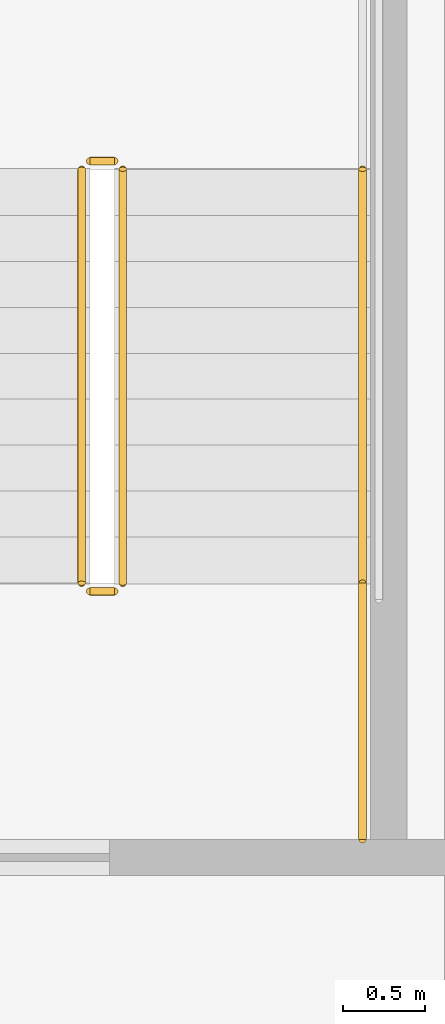
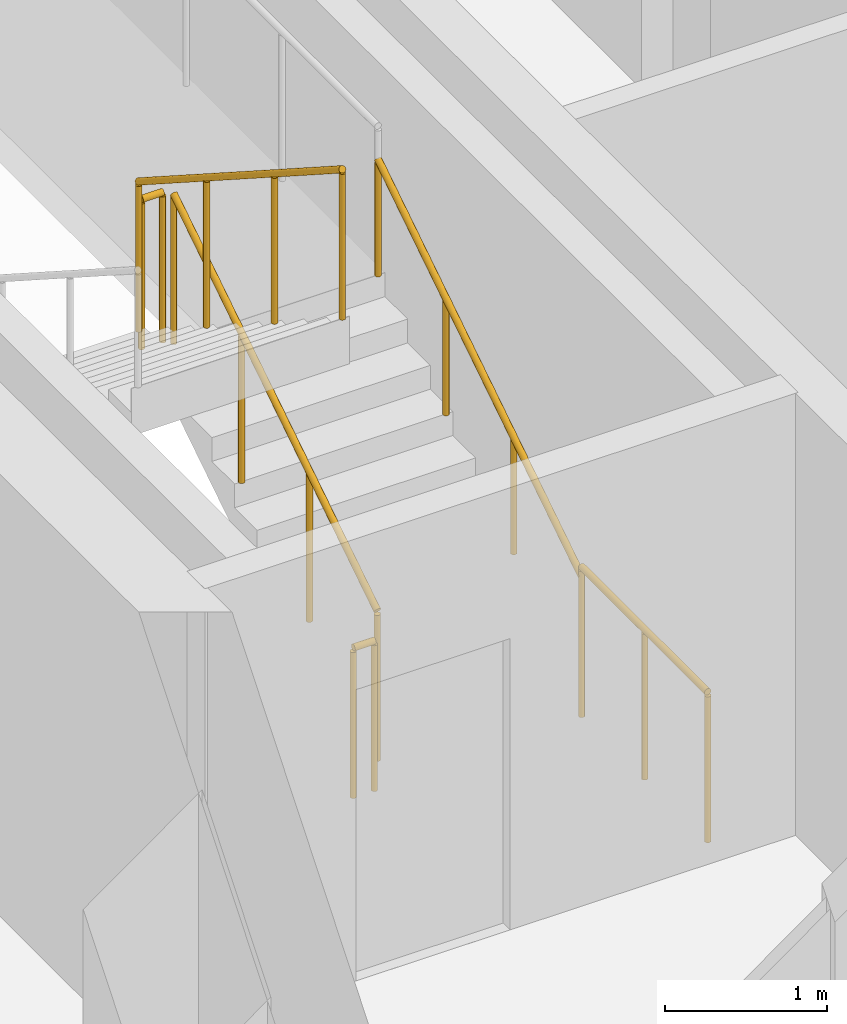
# One storey, part 14 of 16: 6 railings.
"""IFC4 building model written with IfcOpenShell, lengths in metres."""

from ifc_helpers import new_model, si_unit, direction, frame, origin, origin_2d, place, context, subcontext, project, spatial, circle, extrude, material, type_object, element, save


model = new_model("IFC4")

# Units and contexts
model_context = context("Model", 3, precision=1e-05, world=origin(), true_north=direction((0.0, 1.0)))
body_context = subcontext(model_context, "Body", "Model", "MODEL_VIEW")
ifc_project = project(units=[si_unit("LENGTHUNIT", "METRE"), si_unit("AREAUNIT", "SQUARE_METRE"), si_unit("VOLUMEUNIT", "CUBIC_METRE"), si_unit("PLANEANGLEUNIT", "RADIAN"), si_unit("MASSUNIT", "GRAM", prefix="KILO")], contexts=[model_context])

# Site, building, storey
site_placement = place(None, origin())
site = spatial("IfcSite", under=ifc_project, at=site_placement, CompositionType="ELEMENT")
building_placement = place(site_placement, origin())
building = spatial("IfcBuilding", under=site, at=building_placement, Name="Khairoan Windgate Tower", CompositionType="ELEMENT")
storey_placement = place(building_placement, frame((0.0, 0.0, 247.60009765625)))
storey = spatial("IfcBuildingStorey", under=building, at=storey_placement, Name="L58", CompositionType="ELEMENT", Elevation=247.60009765625)

# Railings
ifc_material_1 = material(Name="Anodised Bronze Aluminium 6063-T6", Category="aluminium")
railing_type_1 = type_object("IfcRailingType", Name="Stair Wall Handrail SHR-900", PredefinedType="HANDRAIL", material=ifc_material_1)
railing_1_placement = place(storey_placement, frame((-16.199951171875, 2.9599609375, 0.179931640625)))
element("IfcRailing", 1, at=railing_1_placement, inside=storey, type_object=railing_type_1, Name="L58 ST2 stair handrail 1", PredefinedType="HANDRAIL", context=body_context, shape_type="SweptSolid", body=[
    extrude(circle(Radius=0.02392578125, at=origin_2d()), frame((0.0, 0.0, 0.8759765625), z_axis=(0.0, 0.841199657755, 0.540724639528), x_axis=(-1.0, 0.0, 0.0)), (0.0, 0.0, 1.0), 2.995849609375),
    extrude(circle(Radius=0.02099609375, at=origin_2d()), origin(), (0.0, 0.0, 1.0), 0.851806640625),
    extrude(circle(Radius=0.02099609375, at=origin_2d()), frame((0.0, 0.840087890625, 0.5400390625)), (0.0, 0.0, 1.0), 0.851806640625),
    extrude(circle(Radius=0.02099609375, at=origin_2d()), frame((0.0, 1.679931640625, 1.079833984375)), (0.0, 0.0, 1.0), 0.851806640625),
    extrude(circle(Radius=0.02099609375, at=origin_2d()), frame((0.0, 2.52001953125, 1.619873046875)), (0.0, 0.0, 1.0), 0.851806640625),
])
ifc_material_2 = material(Name="Steel S355", Category="steel")
railing_type_2 = type_object("IfcRailingType", Name="Stairwell Safety Guardrail SGR-1150", PredefinedType="GUARDRAIL", material=ifc_material_2)
railing_2_placement = place(storey_placement, frame((-17.659912109375, 2.9599609375, 0.179931640625)))
element("IfcRailing", 2, at=railing_2_placement, inside=storey, type_object=railing_type_2, Name="L58 ST2 stair guard 1", PredefinedType="GUARDRAIL", context=body_context, shape_type="SweptSolid", body=[
    extrude(circle(Radius=0.02392578125, at=origin_2d()), frame((0.0, 0.0, 1.1259765625), z_axis=(0.0, 0.841199657755, 0.540724639528), x_axis=(-1.0, 0.0, 0.0)), (0.0, 0.0, 1.0), 2.995849609375),
    extrude(circle(Radius=0.02099609375, at=origin_2d()), origin(), (0.0, 0.0, 1.0), 1.101806640625),
    extrude(circle(Radius=0.02099609375, at=origin_2d()), frame((0.0, 0.840087890625, 0.5400390625)), (0.0, 0.0, 1.0), 1.101806640625),
    extrude(circle(Radius=0.02099609375, at=origin_2d()), frame((0.0, 1.679931640625, 1.079833984375)), (0.0, 0.0, 1.0), 1.101806640625),
    extrude(circle(Radius=0.02099609375, at=origin_2d()), frame((0.0, 2.52001953125, 1.619873046875)), (0.0, 0.0, 1.0), 1.101806640625),
])
railing_3_placement = place(storey_placement, frame((-17.7099609375, 5.530029296875, 1.7998046875)))
element("IfcRailing", 3, at=railing_3_placement, inside=storey, type_object=railing_type_2, Name="L58 ST2 stair guard 2", PredefinedType="GUARDRAIL", context=body_context, shape_type="SweptSolid", body=[
    extrude(circle(Radius=0.02392578125, at=origin_2d()), frame((0.0, 0.0, 1.1259765625), z_axis=(-1.0, 0.0, 0.0), x_axis=(0.0, -1.0, 0.0)), (0.0, 0.0, 1.0), 0.150146484375),
    extrude(circle(Radius=0.02099609375, at=origin_2d()), origin(), (0.0, 0.0, 1.0), 1.101806640625),
    extrude(circle(Radius=0.02099609375, at=origin_2d()), frame((-0.150146484375, 0.0, 0.0)), (0.0, 0.0, 1.0), 1.101806640625),
])
railing_4_placement = place(storey_placement, frame((-17.909912109375, 5.47998046875, 1.97998046875)))
element("IfcRailing", 4, at=railing_4_placement, inside=storey, type_object=railing_type_2, Name="L58 ST2 stair guard 6", PredefinedType="GUARDRAIL", context=body_context, shape_type="SweptSolid", body=[
    extrude(circle(Radius=0.02392578125, at=origin_2d()), frame((0.0, 0.0, 1.1259765625), z_axis=(0.0, -0.841199657755, 0.540724639528), x_axis=(1.0, 0.0, 0.0)), (0.0, 0.0, 1.0), 2.995849609375),
    extrude(circle(Radius=0.02099609375, at=origin_2d()), origin(), (0.0, 0.0, 1.0), 1.101806640625),
    extrude(circle(Radius=0.02099609375, at=origin_2d()), frame((0.0, -0.840087890625, 0.5400390625)), (0.0, 0.0, 1.0), 1.101806640625),
    extrude(circle(Radius=0.02099609375, at=origin_2d()), frame((0.0, -1.679931640625, 1.079833984375)), (0.0, 0.0, 1.0), 1.101806640625),
    extrude(circle(Radius=0.02099609375, at=origin_2d()), frame((0.0, -2.52001953125, 1.619873046875)), (0.0, 0.0, 1.0), 1.101806640625),
])
railing_5_placement = place(storey_placement, frame((-17.7099609375, 2.909912109375, 0.0)))
element("IfcRailing", 5, at=railing_5_placement, inside=storey, type_object=railing_type_2, Name="L58 ST2 stair guard 7", PredefinedType="GUARDRAIL", context=body_context, shape_type="SweptSolid", body=[
    extrude(circle(Radius=0.02392578125, at=origin_2d()), frame((0.0, 0.0, 1.1259765625), z_axis=(-1.0, 0.0, 0.0), x_axis=(0.0, -1.0, 0.0)), (0.0, 0.0, 1.0), 0.150146484375),
    extrude(circle(Radius=0.02099609375, at=origin_2d()), origin(), (0.0, 0.0, 1.0), 1.101806640625),
    extrude(circle(Radius=0.02099609375, at=origin_2d()), frame((-0.150146484375, 0.0, 0.0)), (0.0, 0.0, 1.0), 1.101806640625),
])
railing_6_placement = place(storey_placement, frame((-16.199951171875, 1.39990234375, 0.0)))
element("IfcRailing", 6, at=railing_6_placement, inside=storey, type_object=railing_type_2, Name="L58 ST2 stair guard 8", PredefinedType="GUARDRAIL", context=body_context, shape_type="SweptSolid", body=[
    extrude(circle(Radius=0.02392578125, at=origin_2d()), frame((0.0, 0.0, 1.1259765625), z_axis=(0.0, 1.0, 0.0), x_axis=(-1.0, 0.0, 0.0)), (0.0, 0.0, 1.0), 1.56005859375),
    extrude(circle(Radius=0.02099609375, at=origin_2d()), origin(), (0.0, 0.0, 1.0), 1.101806640625),
    extrude(circle(Radius=0.02099609375, at=origin_2d()), frame((0.0, 0.780029296875, 0.0)), (0.0, 0.0, 1.0), 1.101806640625),
    extrude(circle(Radius=0.02099609375, at=origin_2d()), frame((0.0, 1.56005859375, 0.0)), (0.0, 0.0, 1.0), 1.101806640625),
])

save(model, "model.ifc")
